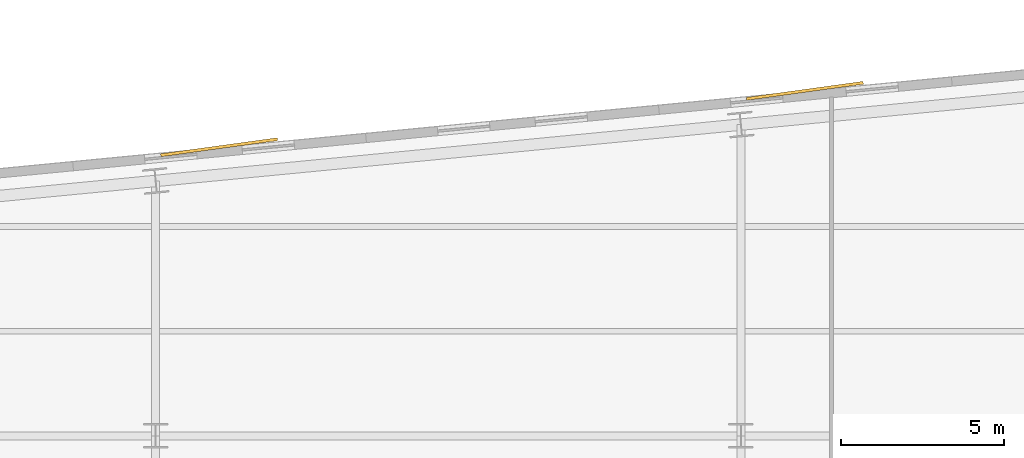
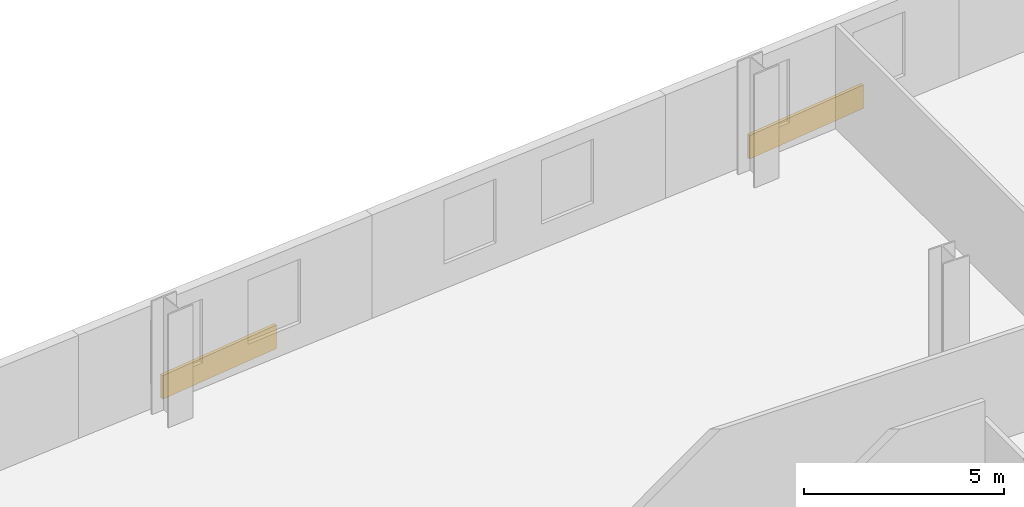
# One storey, part 10 of 10: 2 coverings.
"""IFC4 building model written with IfcOpenShell, lengths in metres."""

from ifc_helpers import new_model, si_unit, direction, frame, origin, origin_2d, place, context, subcontext, project, spatial, rectangle, extrude, material, layer, layer_set, type_object, element, save


model = new_model("IFC4")

# Units and contexts
model_context = context("Model", 3, precision=1e-05, world=origin(), true_north=direction((0.0, 1.0)))
body_context = subcontext(model_context, "Body", "Model", "MODEL_VIEW")
ifc_project = project(units=[si_unit("LENGTHUNIT", "METRE"), si_unit("AREAUNIT", "SQUARE_METRE"), si_unit("VOLUMEUNIT", "CUBIC_METRE"), si_unit("PLANEANGLEUNIT", "RADIAN"), si_unit("MASSUNIT", "GRAM", prefix="KILO")], contexts=[model_context])

# Site, building, storey
site_placement = place(None, origin())
site = spatial("IfcSite", under=ifc_project, at=site_placement, CompositionType="ELEMENT")
building_placement = place(site_placement, origin())
building = spatial("IfcBuilding", under=site, at=building_placement, Name="Velakula Bourse", CompositionType="ELEMENT")
storey_placement = place(building_placement, frame((0.0, 0.0, 108.699951171875)))
storey = spatial("IfcBuildingStorey", under=building, at=storey_placement, Name="L29", CompositionType="ELEMENT", Elevation=108.699951171875)

# Coverings
ifc_material = material(Name="Buff kilned clay facing brick masonry", Category="masonry")
ifc_layer = layer(ifc_material, 0.074951171875, Name="Buff kilned clay facing brick masonry", Category="masonry")
ifc_layer_set = layer_set([ifc_layer], Name="Buff kilned clay facing brick masonry")
covering_type = type_object("IfcCoveringType", Name="COV-BRK-SPN-75", PredefinedType="CLADDING", material=ifc_layer_set)
for number, where, z_axis, x_axis, name in (
    (1, (-7.0087890625, 23.428955078125, 0.0), (0.0, 0.0, 1.0), (0.990629029058, 0.136580111242, 0.0), "L29 Folded Brick Facade Cladding Panel N-B2"),
    (2, (10.908447265625, 25.154052734375, 0.0), (0.0, 0.0, 1.0), (0.990629029058, 0.136580111242, 0.0), "L29 Folded Brick Facade Cladding Panel N-B4"),
):
    element("IfcCovering", number, at=place(storey_placement, frame(where, z_axis=z_axis, x_axis=x_axis)), inside=storey, type_object=covering_type, Name=name, PredefinedType="CLADDING", context=body_context, shape_type="SweptSolid", body=[
        extrude(rectangle(XDim=3.60009765625, YDim=0.090087890625, at=origin_2d()), origin(), (0.0, 0.0, 1.0), 0.719970703125),
    ])

save(model, "model.ifc")
